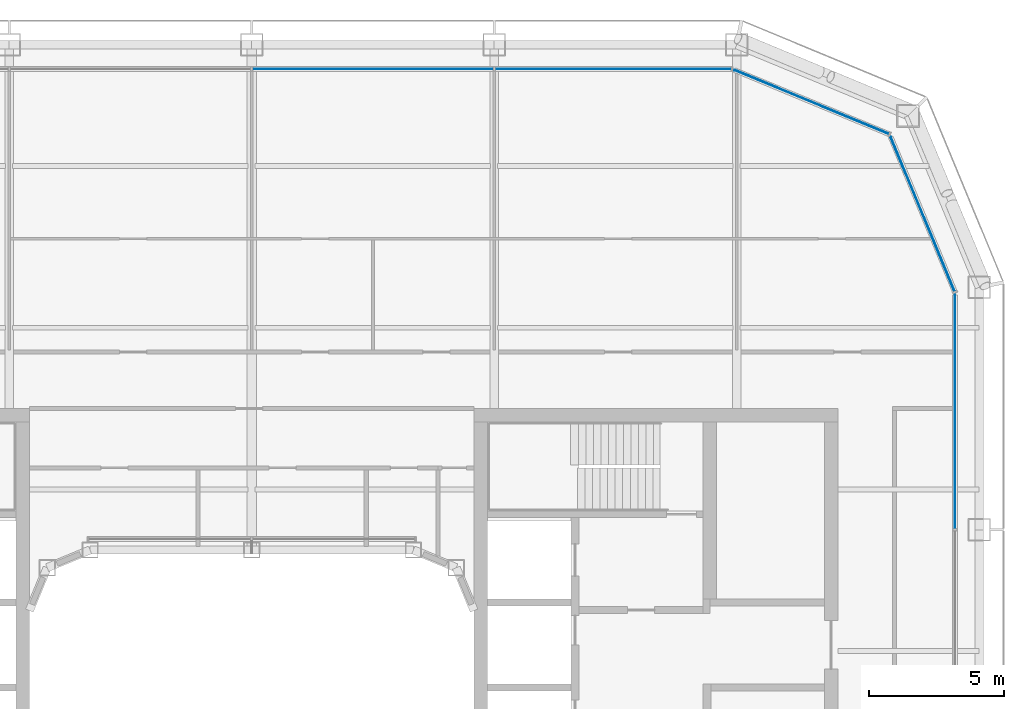
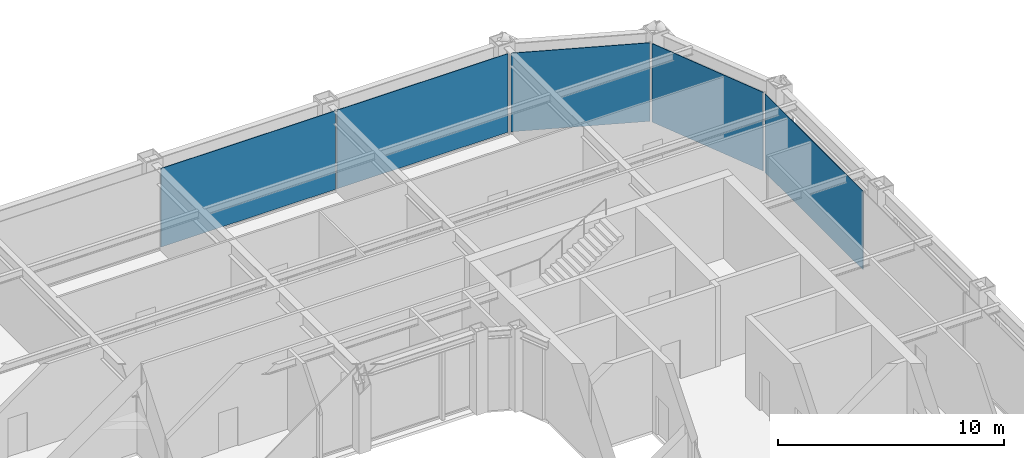
# One storey, part 12 of 23: 5 plates, 4 elements without a shape of their own.
"""IFC4 building model written with IfcOpenShell, lengths in metres."""

from ifc_helpers import new_model, si_unit, direction, frame, origin, origin_2d, place, context, subcontext, project, spatial, rectangle, extrude, material, layer, layer_set, type_object, element, aggregate, save


model = new_model("IFC4")

# Units and contexts
model_context = context("Model", 3, precision=1e-05, world=origin(), true_north=direction((0.0, 1.0)))
body_context = subcontext(model_context, "Body", "Model", "MODEL_VIEW")
ifc_project = project(units=[si_unit("LENGTHUNIT", "METRE"), si_unit("AREAUNIT", "SQUARE_METRE"), si_unit("VOLUMEUNIT", "CUBIC_METRE"), si_unit("PLANEANGLEUNIT", "RADIAN"), si_unit("MASSUNIT", "GRAM", prefix="KILO")], contexts=[model_context])

# Site, building, storey
site_placement = place(None, origin())
site = spatial("IfcSite", under=ifc_project, at=site_placement, CompositionType="ELEMENT")
building_placement = place(site_placement, origin())
building = spatial("IfcBuilding", under=site, at=building_placement, Name="Siwar Civic Tower", CompositionType="ELEMENT")
storey_placement = place(building_placement, frame((0.0, 0.0, 197.199951171875)))
storey = spatial("IfcBuildingStorey", under=building, at=storey_placement, Name="L42", CompositionType="ELEMENT", Elevation=197.199951171875)

# Curtain wall, plate
ifc_material_1 = material(Name="Aluminium and glass", Category="aluminium")
ifc_layer_1 = layer(ifc_material_1, 0.179931640625)
ifc_layer_set_1 = layer_set([ifc_layer_1], Name="Aluminium and glass")
curtain_wall_type_1 = type_object("IfcCurtainWallType", Name="ENV-CW-C", PredefinedType="NOTDEFINED", material=ifc_layer_set_1)
curtain_wall_1_placement = place(storey_placement, origin())
curtain_wall_1 = element("IfcCurtainWall", 1, at=curtain_wall_1_placement, inside=storey, type_object=curtain_wall_type_1, Name="Curtain wall C E", PredefinedType="NOTDEFINED")
ifc_material_2 = material(Name="Glass clear laminated", Category="glass")
ifc_layer_2 = layer(ifc_material_2, 0.031982421875)
ifc_layer_set_2 = layer_set([ifc_layer_2], Name="Glass clear laminated")
plate_type_1 = type_object("IfcPlateType", Name="ENV-PANEL-C", PredefinedType="CURTAIN_PANEL", material=ifc_layer_set_2)
plate_1_placement = place(storey_placement, frame((26.10009765625, 13.373046875, 0.10009765625), z_axis=(0.0, 0.0, 1.0), x_axis=(0.0, 1.0, 0.0)))
plate_1 = element("IfcPlate", 2, at=plate_1_placement, type_object=plate_type_1, Name="Curtain panel C E 4", PredefinedType="CURTAIN_PANEL", context=body_context, shape_type="SweptSolid", body=[
    extrude(rectangle(XDim=8.68603515625, YDim=0.031982421875, at=origin_2d()), origin(), (0.0, 0.0, 1.0), 4.25),
])
aggregate(curtain_wall_1, [plate_1])

# Curtain wall, plates
curtain_wall_2_placement = place(storey_placement, origin())
curtain_wall_2 = element("IfcCurtainWall", 3, at=curtain_wall_2_placement, inside=storey, type_object=curtain_wall_type_1, Name="Curtain wall C N", PredefinedType="NOTDEFINED")
plate_2_placement = place(storey_placement, frame((13.410400390625, 26.10009765625, 0.10009765625), z_axis=(0.0, 0.0, 1.0), x_axis=(-1.0, 0.0, 0.0)))
plate_2 = element("IfcPlate", 4, at=plate_2_placement, type_object=plate_type_1, Name="Curtain panel C N 1", PredefinedType="CURTAIN_PANEL", context=body_context, shape_type="SweptSolid", body=[
    extrude(rectangle(XDim=8.760986328125, YDim=0.031982421875, at=origin_2d()), origin(), (0.0, 0.0, 1.0), 4.25),
])
plate_3_placement = place(storey_placement, frame((4.5, 26.10009765625, 0.10009765625), z_axis=(0.0, 0.0, 1.0), x_axis=(-1.0, 0.0, 0.0)))
plate_3 = element("IfcPlate", 5, at=plate_3_placement, type_object=plate_type_1, Name="Curtain panel C N 2", PredefinedType="CURTAIN_PANEL", context=body_context, shape_type="SweptSolid", body=[
    extrude(rectangle(XDim=8.93994140625, YDim=0.031982421875, at=origin_2d()), origin(), (0.0, 0.0, 1.0), 4.25),
])
aggregate(curtain_wall_2, [plate_2, plate_3])

# Curtain wall, plate
ifc_material_3 = material(Name="Aluminium clad insulated panel", Category="aluminium")
ifc_layer_3 = layer(ifc_material_3, 0.179931640625)
ifc_layer_set_3 = layer_set([ifc_layer_3], Name="Aluminium clad insulated panel")
curtain_wall_type_2 = type_object("IfcCurtainWallType", Name="ENV-CW-CX", PredefinedType="NOTDEFINED", material=ifc_layer_set_3)
curtain_wall_3_placement = place(storey_placement, origin())
curtain_wall_3 = element("IfcCurtainWall", 6, at=curtain_wall_3_placement, inside=storey, type_object=curtain_wall_type_2, Name="Curtain wall C NE1", PredefinedType="NOTDEFINED")
ifc_material_4 = material(Name="Aluminium clad insulated panel", Category="aluminium")
ifc_layer_4 = layer(ifc_material_4, 0.031982421875)
ifc_layer_set_4 = layer_set([ifc_layer_4], Name="Aluminium clad insulated panel")
plate_type_2 = type_object("IfcPlateType", Name="ENV-PANEL-CX", PredefinedType="CURTAIN_PANEL", material=ifc_layer_set_4)
plate_4_placement = place(storey_placement, frame((24.90185546875, 20.71337890625, 0.10009765625), z_axis=(0.0, 0.0, 1.0), x_axis=(-0.382683432365, 0.923879532511, 0.0)))
plate_4 = element("IfcPlate", 7, at=plate_4_placement, type_object=plate_type_2, Name="Curtain panel C NE1 1", PredefinedType="CURTAIN_PANEL", context=body_context, shape_type="SweptSolid", body=[
    extrude(rectangle(XDim=6.20166015625, YDim=0.031982421875, at=origin_2d()), origin(), (0.0, 0.0, 1.0), 4.25),
])
aggregate(curtain_wall_3, [plate_4])

curtain_wall_4_placement = place(storey_placement, origin())
curtain_wall_4 = element("IfcCurtainWall", 8, at=curtain_wall_4_placement, inside=storey, type_object=curtain_wall_type_2, Name="Curtain wall C NE2", PredefinedType="NOTDEFINED")
plate_5_placement = place(storey_placement, frame((20.78271484375, 24.873291015625, 0.10009765625), z_axis=(0.0, 0.0, 1.0), x_axis=(-0.923879532511, 0.382683432365, 0.0)))
plate_5 = element("IfcPlate", 9, at=plate_5_placement, type_object=plate_type_2, Name="Curtain panel C NE2 1", PredefinedType="CURTAIN_PANEL", context=body_context, shape_type="SweptSolid", body=[
    extrude(rectangle(XDim=6.20166015625, YDim=0.031982421875, at=origin_2d()), origin(), (0.0, 0.0, 1.0), 4.25),
])
aggregate(curtain_wall_4, [plate_5])

save(model, "model.ifc")
